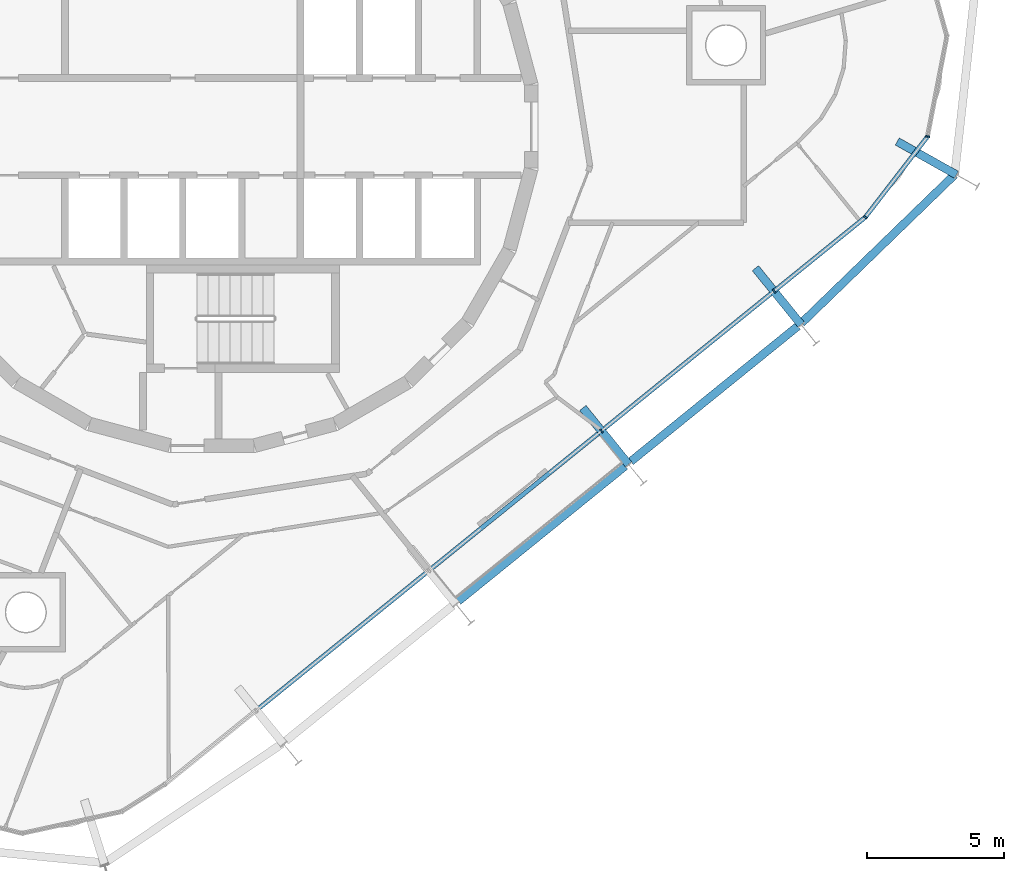
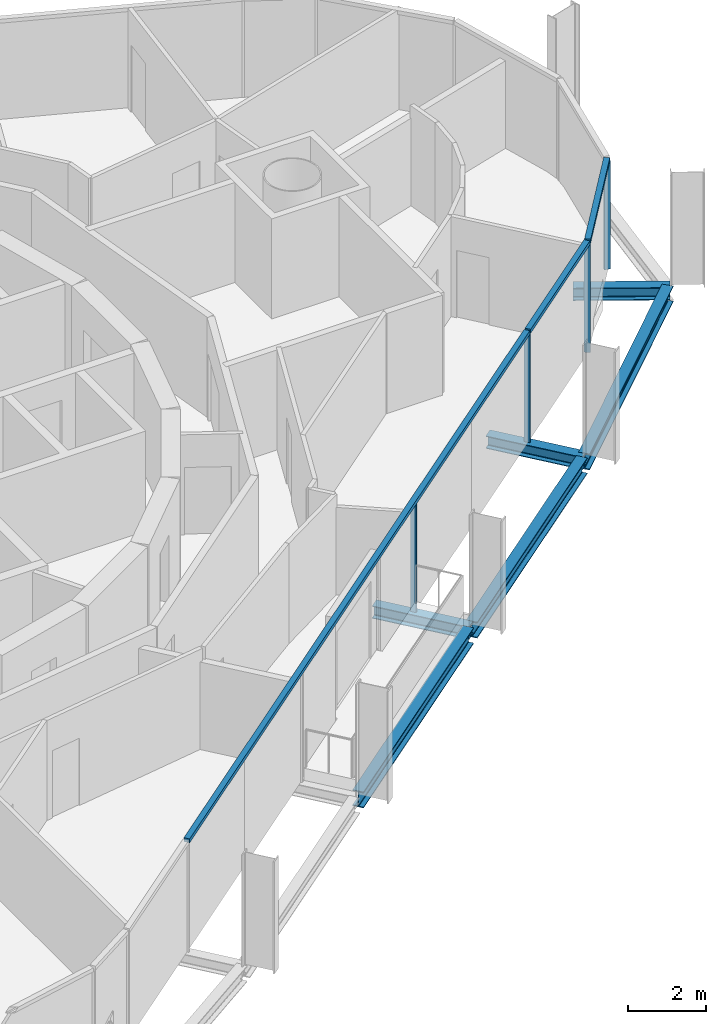
# One storey, part 4 of 18: 7 members, 6 beams, 2 elements without a shape of their own.
"""IFC4 building model written with IfcOpenShell, lengths in metres."""

from ifc_helpers import new_model, si_unit, direction, frame, origin, origin_2d, place, context, subcontext, project, spatial, rectangle, i_section, extrude, material, layer, layer_set, material_profile, profile_set, type_object, element, aggregate, save


model = new_model("IFC4")

# Units and contexts
model_context = context("Model", 3, precision=1e-05, world=origin(), true_north=direction((0.0, 1.0)))
body_context = subcontext(model_context, "Body", "Model", "MODEL_VIEW")
ifc_project = project(units=[si_unit("LENGTHUNIT", "METRE"), si_unit("AREAUNIT", "SQUARE_METRE"), si_unit("VOLUMEUNIT", "CUBIC_METRE"), si_unit("PLANEANGLEUNIT", "RADIAN"), si_unit("MASSUNIT", "GRAM", prefix="KILO")], contexts=[model_context])

# Site, building, storey
site_placement = place(None, origin())
site = spatial("IfcSite", under=ifc_project, at=site_placement, CompositionType="ELEMENT")
building_placement = place(site_placement, origin())
building = spatial("IfcBuilding", under=site, at=building_placement, Name="Spindle Arch Residences", CompositionType="ELEMENT")
storey_placement = place(building_placement, frame((0.0, 0.0, 273.89990234375)))
storey = spatial("IfcBuildingStorey", under=building, at=storey_placement, Name="L70", CompositionType="ELEMENT", Elevation=273.89990234375)

# Curtain wall, members
ifc_material_1 = material(Name="Aluminium bronze unitised frame with tinted glass", Category="aluminium")
ifc_layer_1 = layer(ifc_material_1, 0.159912109375)
ifc_layer_set_1 = layer_set([ifc_layer_1], Name="CW-D corner wall on the fillet arcs")
curtain_wall_type_1 = type_object("IfcCurtainWallType", Name="CW-D corner wall on the fillet arcs", PredefinedType="NOTDEFINED", material=ifc_layer_set_1)
curtain_wall_1_placement = place(storey_placement, origin())
curtain_wall_1 = element("IfcCurtainWall", 1, at=curtain_wall_1_placement, inside=storey, type_object=curtain_wall_type_1, Name="CW-D L70 run 1", PredefinedType="NOTDEFINED")
ifc_material_2 = material(Name="Aluminium bronze anodised mullion", Category="aluminium")
ifc_material_profile_1 = material_profile(ifc_material_2, rectangle(XDim=0.159912109375, YDim=0.06005859375, at=origin_2d()), Name="MU 60x160")
ifc_profile_set_1 = profile_set([ifc_material_profile_1], Name="Aluminium bronze anodised mullion")
member_type_1 = type_object("IfcMemberType", Name="Bronze mullion 60x160", PredefinedType="MULLION", material=ifc_profile_set_1)
member_1_placement = place(storey_placement, frame((20.512451171875, -6.006103515625, -0.3798828125), z_axis=(0.0, 0.0, 1.0), x_axis=(-0.62932039105, 0.777145961457, 0.0)))
member_1 = element("IfcMember", 2, at=member_1_placement, type_object=member_type_1, Name="CW-D mullion 00", PredefinedType="MULLION", context=body_context, shape_type="SweptSolid", body=[
    extrude(rectangle(XDim=0.159912109375, YDim=0.06005859375, at=origin_2d()), origin(), (0.0, 0.0, 1.0), 3.3798828125),
])
member_2_placement = place(storey_placement, frame((23.84423828125, -3.30810546875, -0.3798828125), z_axis=(0.0, 0.0, 1.0), x_axis=(-0.791579170105, 0.611066622764, 0.0)))
member_2 = element("IfcMember", 3, at=member_2_placement, type_object=member_type_1, Name="CW-D mullion 01", PredefinedType="MULLION", context=body_context, shape_type="SweptSolid", body=[
    extrude(rectangle(XDim=0.159912109375, YDim=0.06005859375, at=origin_2d()), origin(), (0.0, 0.0, 1.0), 3.3798828125),
])
member_3_placement = place(storey_placement, frame((26.12158203125, -0.358154296875, -0.3798828125), z_axis=(0.0, 0.0, 1.0), x_axis=(-0.981627183558, 0.190808994811, 0.0)))
member_3 = element("IfcMember", 4, at=member_3_placement, type_object=member_type_1, Name="CW-D mullion 02", PredefinedType="MULLION", context=body_context, shape_type="SweptSolid", body=[
    extrude(rectangle(XDim=0.159912109375, YDim=0.06005859375, at=origin_2d()), origin(), (0.0, 0.0, 1.0), 3.3798828125),
])

# Curtain wall, member
ifc_material_3 = material(Name="Aluminium bronze unitised frame with tinted glass", Category="aluminium")
ifc_layer_2 = layer(ifc_material_3, 0.159912109375)
ifc_layer_set_2 = layer_set([ifc_layer_2], Name="CW-C typical residential unitised wall")
curtain_wall_type_2 = type_object("IfcCurtainWallType", Name="CW-C typical residential unitised wall", PredefinedType="NOTDEFINED", material=ifc_layer_set_2)
curtain_wall_2_placement = place(storey_placement, origin())
curtain_wall_2 = element("IfcCurtainWall", 5, at=curtain_wall_2_placement, inside=storey, type_object=curtain_wall_type_2, Name="CW-C L70 run 6", PredefinedType="NOTDEFINED")
member_4_placement = place(storey_placement, frame((14.211669921875, -11.1083984375, -0.3798828125), z_axis=(0.0, 0.0, 1.0), x_axis=(-0.62932039105, 0.777145961457, 0.0)))
member_4 = element("IfcMember", 6, at=member_4_placement, type_object=member_type_1, Name="CW-C mullion 00", PredefinedType="MULLION", context=body_context, shape_type="SweptSolid", body=[
    extrude(rectangle(XDim=0.159912109375, YDim=0.06005859375, at=origin_2d()), origin(), (0.0, 0.0, 1.0), 3.3798828125),
])

# Member
ifc_material_4 = material(Name="Aluminium bronze anodised transom", Category="aluminium")
ifc_material_profile_2 = material_profile(ifc_material_4, rectangle(XDim=0.159912109375, YDim=0.1201171875, at=origin_2d()), Name="TR 120x160")
ifc_profile_set_2 = profile_set([ifc_material_profile_2], Name="Aluminium bronze anodised transom")
member_type_2 = type_object("IfcMemberType", Name="Bronze transom 120x160", PredefinedType="USERDEFINED", material=ifc_profile_set_2)
member_5_placement = place(storey_placement, frame((20.535888671875, -5.9873046875, 3.06005859375), z_axis=(0.777158783918, 0.6293045563, 0.0), x_axis=(-0.6293045563, 0.777158783918, 0.0)))
member_5 = element("IfcMember", 7, at=member_5_placement, type_object=member_type_2, Name="CW-D transom 00", ObjectType="TRANSOM", PredefinedType="USERDEFINED", context=body_context, shape_type="SweptSolid", body=[
    extrude(rectangle(XDim=0.159912109375, YDim=0.1201171875, at=origin_2d()), origin(), (0.0, 0.0, 1.0), 4.22705078125),
])

member_6_placement = place(storey_placement, frame((23.862548828125, -3.284423828125, 3.06005859375), z_axis=(0.611074135379, 0.791573370617, 0.0), x_axis=(-0.791573370617, 0.611074135379, 0.0)))
member_6 = element("IfcMember", 8, at=member_6_placement, type_object=member_type_2, Name="CW-D transom 01", ObjectType="TRANSOM", PredefinedType="USERDEFINED", context=body_context, shape_type="SweptSolid", body=[
    extrude(rectangle(XDim=0.159912109375, YDim=0.1201171875, at=origin_2d()), origin(), (0.0, 0.0, 1.0), 3.666748046875),
])

aggregate(curtain_wall_1, [member_1, member_5, member_2, member_6, member_3])

member_7_placement = place(storey_placement, frame((1.633544921875, -21.294189453125, 3.06005859375), z_axis=(0.777146208679, 0.629320085756, 0.0), x_axis=(-0.629320085756, 0.777146208679, 0.0)))
member_7 = element("IfcMember", 9, at=member_7_placement, type_object=member_type_2, Name="CW-C transom 00", ObjectType="TRANSOM", PredefinedType="USERDEFINED", context=body_context, shape_type="SweptSolid", body=[
    extrude(rectangle(XDim=0.159912109375, YDim=0.1201171875, at=origin_2d()), origin(), (0.0, 0.0, 1.0), 24.2626953125),
])

aggregate(curtain_wall_2, [member_7, member_4])

# Beams
ifc_material_5 = material(Name="Steel S460ML, intumescent coating R 120", Category="steel")
ifc_material_profile_3 = material_profile(ifc_material_5, i_section(OverallWidth=0.300048828125, OverallDepth=0.5, WebThickness=0.014404296875, FlangeThickness=0.028076171875, FilletRadius=0.027099609375, at=origin_2d()), Name="HEB 500")
ifc_profile_set_3 = profile_set([ifc_material_profile_3], Name="Steel S460ML, intumescent coating R 120")
beam_type_1 = type_object("IfcBeamType", Name="Exoskeleton edge beam HEB 500", PredefinedType="BEAM", material=ifc_profile_set_3)
beam_1_placement = place(storey_placement, frame((15.281982421875, -12.223388671875, -0.6298828125), z_axis=(0.777152125993, 0.629312778406, 0.0), x_axis=(-0.629312778406, 0.777152125993, 0.0)))
element("IfcBeam", 10, at=beam_1_placement, inside=storey, type_object=beam_type_1, Name="Exoskeleton edge beam 1", PredefinedType="BEAM", context=body_context, shape_type="SweptSolid", body=[
    extrude(i_section(OverallWidth=0.300048828125, OverallDepth=0.5, WebThickness=0.014404296875, FlangeThickness=0.028076171875, FilletRadius=0.027099609375, at=origin_2d()), origin(), (0.0, 0.0, 1.0), 7.847412109375),
])
beam_2_placement = place(storey_placement, frame((21.51025390625, -7.176025390625, -0.6298828125), z_axis=(0.718254418366, 0.695780562029, 0.0), x_axis=(-0.695780562029, 0.718254418366, 0.0)))
element("IfcBeam", 11, at=beam_2_placement, inside=storey, type_object=beam_type_1, Name="Exoskeleton edge beam 2", PredefinedType="BEAM", context=body_context, shape_type="SweptSolid", body=[
    extrude(i_section(OverallWidth=0.300048828125, OverallDepth=0.5, WebThickness=0.014404296875, FlangeThickness=0.028076171875, FilletRadius=0.027099609375, at=origin_2d()), origin(), (0.0, 0.0, 1.0), 7.7890625),
])
beam_3_placement = place(storey_placement, frame((8.981201171875, -17.32568359375, -0.6298828125), z_axis=(0.777152125993, 0.629312778406, 0.0), x_axis=(-0.629312778406, 0.777152125993, 0.0)))
element("IfcBeam", 12, at=beam_3_placement, inside=storey, type_object=beam_type_1, Name="Exoskeleton edge beam 20", PredefinedType="BEAM", context=body_context, shape_type="SweptSolid", body=[
    extrude(i_section(OverallWidth=0.300048828125, OverallDepth=0.5, WebThickness=0.014404296875, FlangeThickness=0.028076171875, FilletRadius=0.027099609375, at=origin_2d()), origin(), (0.0, 0.0, 1.0), 7.847412109375),
])
ifc_material_6 = material(Name="Steel S460ML, intumescent coating R 120", Category="steel")
ifc_material_profile_4 = material_profile(ifc_material_6, i_section(OverallWidth=0.300048828125, OverallDepth=0.389892578125, WebThickness=0.010986328125, FlangeThickness=0.01904296875, FilletRadius=0.027099609375, at=origin_2d()), Name="HEA 400")
ifc_profile_set_4 = profile_set([ifc_material_profile_4], Name="Steel S460ML, intumescent coating R 120")
beam_type_2 = type_object("IfcBeamType", Name="Floor outrigger HEA 400", PredefinedType="BEAM", material=ifc_profile_set_4)
for number, where, z_axis, x_axis, name in (
    (13, (15.19970703125, -12.32861328125, -0.574951171875), (-0.629301579077, 0.777161194715, 0.0), (-0.777161194715, -0.629301579077, 0.0), "Floor outrigger 1"),
    (14, (21.50048828125, -7.226318359375, -0.574951171875), (-0.629301579077, 0.777161194715, 0.0), (-0.777161194715, -0.629301579077, 0.0), "Floor outrigger 2"),
):
    element("IfcBeam", number, at=place(storey_placement, frame(where, z_axis=z_axis, x_axis=x_axis)), inside=storey, type_object=beam_type_2, Name=name, PredefinedType="BEAM", context=body_context, shape_type="SweptSolid", body=[
        extrude(i_section(OverallWidth=0.300048828125, OverallDepth=0.389892578125, WebThickness=0.010986328125, FlangeThickness=0.01904296875, FilletRadius=0.027099609375, at=origin_2d()), origin(), (0.0, 0.0, 1.0), 2.650146484375),
    ])
beam_4_placement = place(storey_placement, frame((27.172607421875, -1.75537109375, -0.574951171875), z_axis=(-0.871838442856, 0.489793558102, 0.0), x_axis=(-0.489793558102, -0.871838442856, 0.0)))
element("IfcBeam", 15, at=beam_4_placement, inside=storey, type_object=beam_type_2, Name="Floor outrigger 3", PredefinedType="BEAM", context=body_context, shape_type="SweptSolid", body=[
    extrude(i_section(OverallWidth=0.300048828125, OverallDepth=0.389892578125, WebThickness=0.010986328125, FlangeThickness=0.01904296875, FilletRadius=0.027099609375, at=origin_2d()), origin(), (0.0, 0.0, 1.0), 2.478759765625),
])

save(model, "model.ifc")
